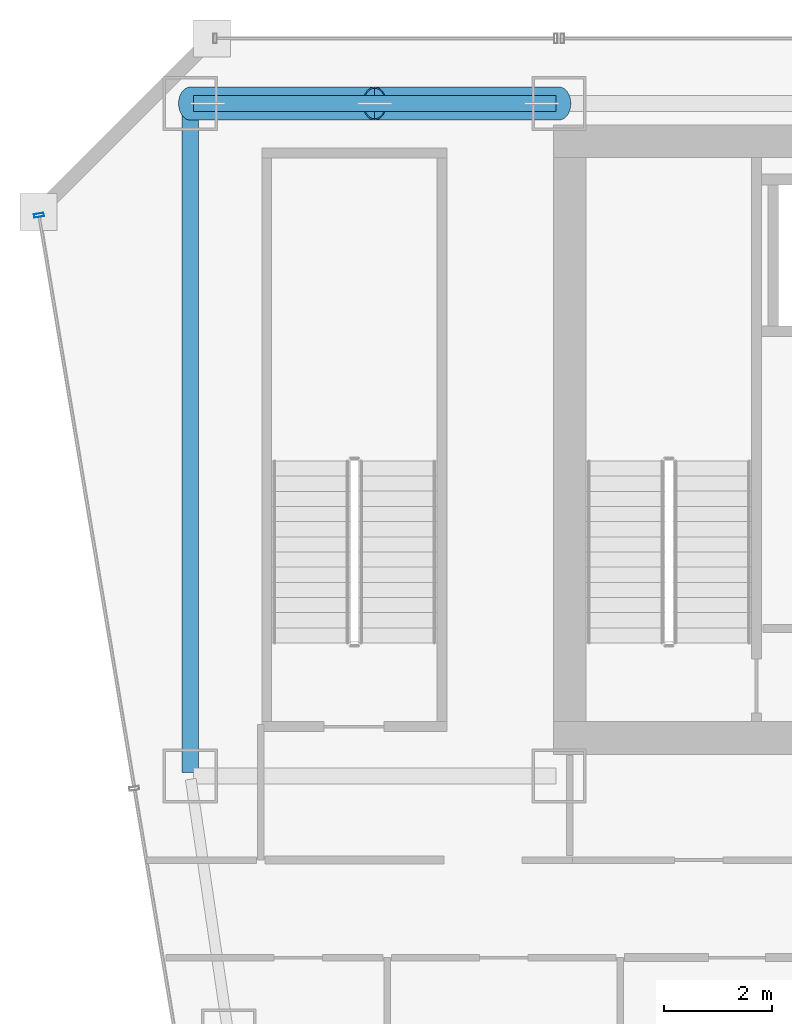
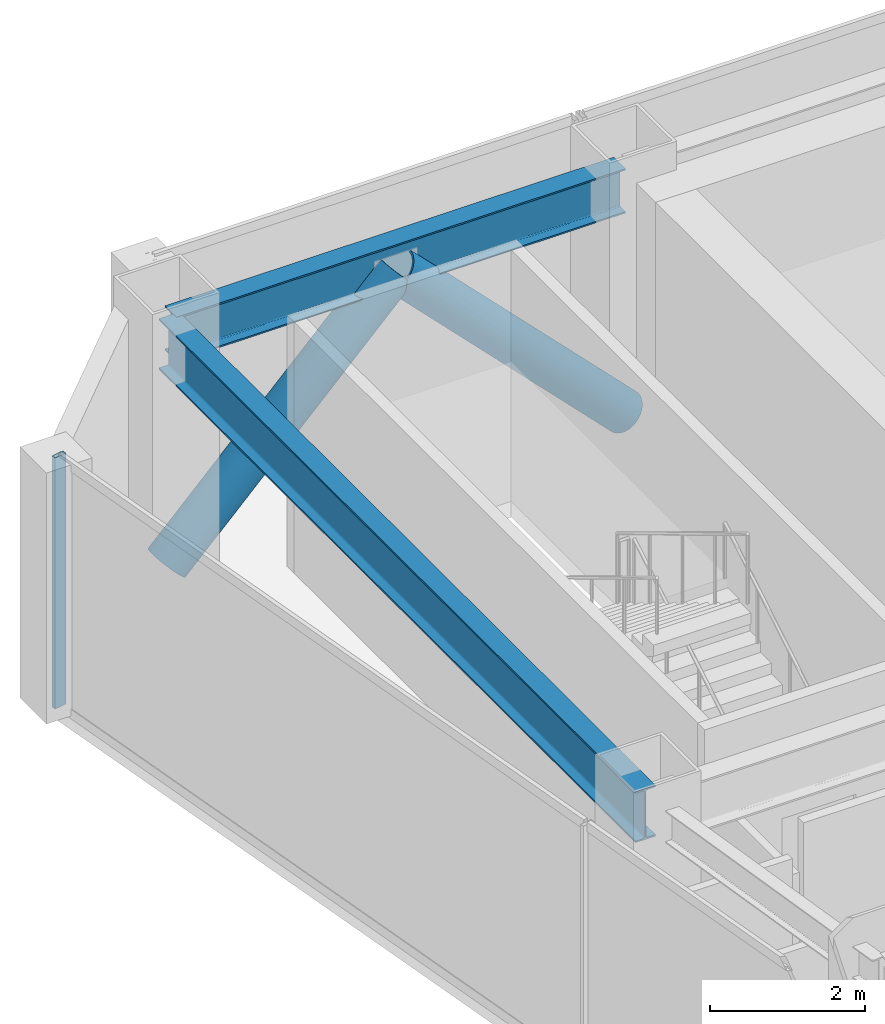
# One storey, part 19 of 36: 3 members, 2 beams, 1 element without a shape of its own.
"""IFC4 building model written with IfcOpenShell, lengths in metres."""

from ifc_helpers import new_model, si_unit, direction, frame, origin, origin_2d, place, context, subcontext, project, spatial, hollow_rectangle, hollow_circle, i_section, extrude, material, material_profile, profile_set, type_object, element, aggregate, save


model = new_model("IFC4")

# Units and contexts
model_context = context("Model", 3, precision=1e-05, world=origin(), true_north=direction((0.0, 1.0)))
body_context = subcontext(model_context, "Body", "Model", "MODEL_VIEW")
ifc_project = project(units=[si_unit("LENGTHUNIT", "METRE"), si_unit("AREAUNIT", "SQUARE_METRE"), si_unit("VOLUMEUNIT", "CUBIC_METRE"), si_unit("PLANEANGLEUNIT", "RADIAN"), si_unit("MASSUNIT", "GRAM", prefix="KILO")], contexts=[model_context])

# Site, building, storey
site_placement = place(None, origin())
site = spatial("IfcSite", under=ifc_project, at=site_placement, CompositionType="ELEMENT")
building_placement = place(site_placement, origin())
building = spatial("IfcBuilding", under=site, at=building_placement, Name="Saevonmaru Cultural Tower", CompositionType="ELEMENT")
storey_placement = place(building_placement, frame((0.0, 0.0, 119.199951171875)))
storey = spatial("IfcBuildingStorey", under=building, at=storey_placement, Name="L25", CompositionType="ELEMENT", Elevation=119.199951171875)

# Beams
ifc_material_1 = material(Name="Steel SM420", Category="steel")
ifc_material_profile_1 = material_profile(ifc_material_1, i_section(OverallWidth=0.300048828125, OverallDepth=0.800048828125, WebThickness=0.013916015625, FlangeThickness=0.02587890625, FilletRadius=0.028076171875, at=origin_2d()), Name="H-800x300x14x26")
ifc_profile_set_1 = profile_set([ifc_material_profile_1], Name="Steel SM420")
beam_type_1 = type_object("IfcBeamType", Name="BM-G-H800", PredefinedType="BEAM", material=ifc_profile_set_1)
beam_1_placement = place(storey_placement, frame((6.800048828125, 54.739990234375, 3.550048828125), z_axis=(0.0, -1.0, 0.0), x_axis=(1.0, 0.0, 0.0)))
element("IfcBeam", 1, at=beam_1_placement, inside=storey, type_object=beam_type_1, Name="L25 Spine Transverse Girder W", PredefinedType="BEAM", context=body_context, shape_type="SweptSolid", body=[
    extrude(i_section(OverallWidth=0.300048828125, OverallDepth=0.800048828125, WebThickness=0.013916015625, FlangeThickness=0.02587890625, FilletRadius=0.028076171875, at=origin_2d()), origin(), (0.0, 0.0, 1.0), 12.280029296875),
])
ifc_material_2 = material(Name="Steel SM355", Category="steel")
ifc_material_profile_2 = material_profile(ifc_material_2, i_section(OverallWidth=0.300048828125, OverallDepth=0.699951171875, WebThickness=0.012939453125, FlangeThickness=0.02392578125, FilletRadius=0.02587890625, at=origin_2d()), Name="H-700x300x13x24")
ifc_profile_set_2 = profile_set([ifc_material_profile_2], Name="Steel SM355")
beam_type_2 = type_object("IfcBeamType", Name="BM-SP-H700", PredefinedType="SPANDREL", material=ifc_profile_set_2)
beam_2_placement = place(storey_placement, frame((6.860107421875, 54.800048828125, 3.60009765625), z_axis=(1.0, 0.0, 0.0), x_axis=(0.0, 1.0, 0.0)))
element("IfcBeam", 2, at=beam_2_placement, inside=storey, type_object=beam_type_2, Name="L25 North Spine Girder 1", PredefinedType="SPANDREL", context=body_context, shape_type="SweptSolid", body=[
    extrude(i_section(OverallWidth=0.300048828125, OverallDepth=0.699951171875, WebThickness=0.012939453125, FlangeThickness=0.02392578125, FilletRadius=0.02587890625, at=origin_2d()), origin(), (0.0, 0.0, 1.0), 6.679931640625),
])

# Members
ifc_material_3 = material(Name="Steel HSA600 (600 MPa)", Category="steel")
ifc_material_profile_3 = material_profile(ifc_material_3, hollow_circle(Radius=0.3046875, WallThickness=0.02490234375, at=origin_2d()), Name="CHS-609.6x25")
ifc_profile_set_3 = profile_set([ifc_material_profile_3], Name="Steel HSA600 (600 MPa)")
member_type_1 = type_object("IfcMemberType", Name="MB-PBR-CHS610", PredefinedType="BRACE", material=ifc_profile_set_3)
member_1_placement = place(storey_placement, frame((6.800048828125, 54.800048828125, 0.02001953125), z_axis=(0.701921530893, 0.0, 0.712254283574), x_axis=(0.0, 1.0, 0.0)))
element("IfcMember", 3, at=member_1_placement, inside=storey, type_object=member_type_1, Name="L25 Perimeter Braced-Tube Diagonal WN1", PredefinedType="BRACE", context=body_context, shape_type="SweptSolid", body=[
    extrude(hollow_circle(Radius=0.3046875, WallThickness=0.02490234375, at=origin_2d()), origin(), (0.0, 0.0, 1.0), 4.84375),
])
member_2_placement = place(storey_placement, frame((13.60009765625, 54.800048828125, 0.02001953125), z_axis=(-0.701947099629, 0.0, 0.712229084861), x_axis=(0.0, -1.0, 0.0)))
element("IfcMember", 4, at=member_2_placement, inside=storey, type_object=member_type_1, Name="L25 Perimeter Braced-Tube Diagonal WN2", PredefinedType="BRACE", context=body_context, shape_type="SweptSolid", body=[
    extrude(hollow_circle(Radius=0.3046875, WallThickness=0.02490234375, at=origin_2d()), origin(), (0.0, 0.0, 1.0), 4.843994140625),
])

# Curtain wall, member
ifc_material_4 = material(Name="Satin Bronze Anodised Aluminium", Category="aluminium")
curtain_wall_type = type_object("IfcCurtainWallType", Name="CW-TYP-A", PredefinedType="NOTDEFINED", material=ifc_material_4)
curtain_wall_placement = place(storey_placement, origin())
curtain_wall = element("IfcCurtainWall", 5, at=curtain_wall_placement, inside=storey, type_object=curtain_wall_type, Name="L25 Unitised Curtain Wall E12", PredefinedType="NOTDEFINED")
ifc_material_profile_4 = material_profile(ifc_material_4, hollow_rectangle(XDim=0.06494140625, YDim=0.179931640625, WallThickness=0.00390625, at=origin_2d()), Name="ALU-MULL-180x65x4")
ifc_profile_set_4 = profile_set([ifc_material_profile_4], Name="Satin Bronze Anodised Aluminium")
member_type_2 = type_object("IfcMemberType", Name="ML-CW-180x65", PredefinedType="MULLION", material=ifc_profile_set_4)
member_3_placement = place(storey_placement, frame((4.009765625, 52.74072265625, 0.0), z_axis=(0.0, 0.0, 1.0), x_axis=(0.163998702345, -0.986460554523, 0.0)))
member_3 = element("IfcMember", 6, at=member_3_placement, type_object=member_type_2, Name="CW-TW-L25-E12 mullion 1", PredefinedType="MULLION", context=body_context, shape_type="SweptSolid", body=[
    extrude(hollow_rectangle(XDim=0.06494140625, YDim=0.179931640625, WallThickness=0.00390625, at=origin_2d()), origin(), (0.0, 0.0, 1.0), 3.949951171875),
])
aggregate(curtain_wall, [member_3])

save(model, "model.ifc")
